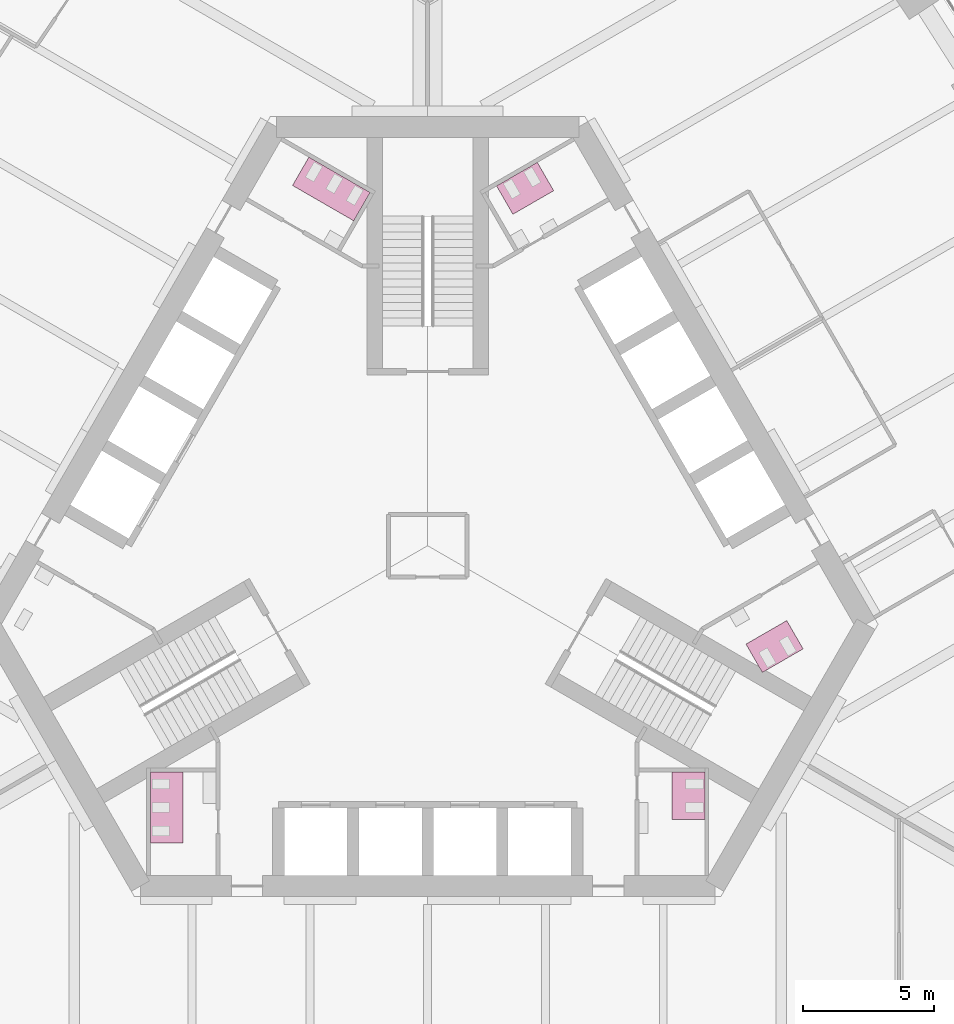
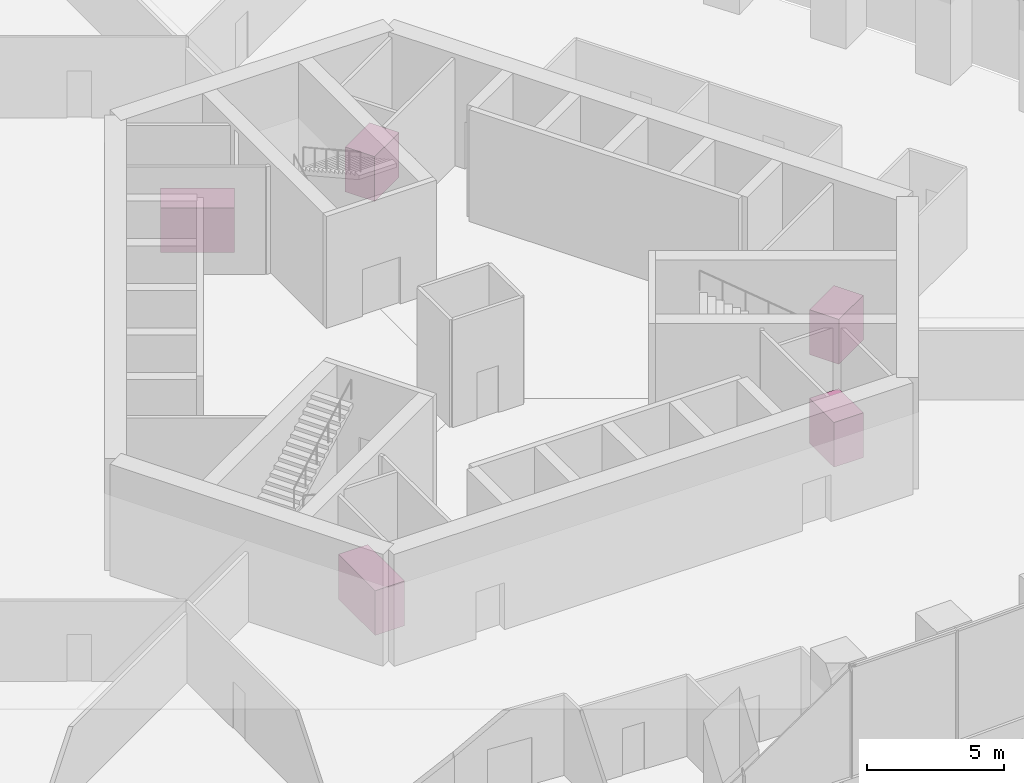
# One storey, part 21 of 21: 5 furniture elements.
"""IFC4 building model written with IfcOpenShell, lengths in metres."""

from ifc_helpers import new_model, si_unit, direction, frame, origin, place, context, subcontext, project, spatial, polyline, outline, extrude, material, type_object, element, save


model = new_model("IFC4")

# Units and contexts
model_context = context("Model", 3, precision=1e-05, world=origin(), true_north=direction((0.0, 1.0)))
body_context = subcontext(model_context, "Body", "Model", "MODEL_VIEW")
ifc_project = project(units=[si_unit("LENGTHUNIT", "METRE"), si_unit("AREAUNIT", "SQUARE_METRE"), si_unit("VOLUMEUNIT", "CUBIC_METRE"), si_unit("PLANEANGLEUNIT", "RADIAN"), si_unit("MASSUNIT", "GRAM", prefix="KILO")], contexts=[model_context])

# Site, building, storey
site_placement = place(None, origin())
site = spatial("IfcSite", under=ifc_project, at=site_placement, CompositionType="ELEMENT")
building_placement = place(site_placement, origin())
building = spatial("IfcBuilding", under=site, at=building_placement, Name="Trefoil Bronze Tower", CompositionType="ELEMENT")
storey_placement = place(building_placement, frame((0.0, 0.0, 11.5)))
storey = spatial("IfcBuildingStorey", under=building, at=storey_placement, Name="L02", CompositionType="ELEMENT", Elevation=11.5)

# Furniture
ifc_material_1 = material(Name="Compact laminate cubicles", Category="plastic")
furniture_type_1 = type_object("IfcFurnitureType", Name="WC cubicle range 2 cubicles", AssemblyPlace="FACTORY", PredefinedType="USERDEFINED", material=ifc_material_1)
furniture_1_placement = place(storey_placement, origin())
element("IfcFurniture", 1, at=furniture_1_placement, inside=storey, type_object=furniture_type_1, Name="WC cubicle range WC (men) L02", ObjectType="WC cubicle range", PredefinedType="USERDEFINED", context=body_context, shape_type="SweptSolid", body=[
    extrude(outline(polyline([(9.3349609375, -8.64990234375), (10.5849609375, -8.64990234375), (10.5849609375, -10.449951171875), (9.3349609375, -10.449951171875), (9.3349609375, -8.64990234375)])), origin(), (0.0, 0.0, 1.0), 2.0),
])
furniture_2_placement = place(storey_placement, origin())
element("IfcFurniture", 2, at=furniture_2_placement, inside=storey, type_object=furniture_type_1, Name="WC cubicle range WC (women) L02", ObjectType="WC cubicle range", PredefinedType="USERDEFINED", context=body_context, shape_type="SweptSolid", body=[
    extrude(outline(polyline([(12.15869140625, -3.75927734375), (12.78369140625, -4.841796875), (14.342529296875, -3.94189453125), (13.717529296875, -2.859375), (12.15869140625, -3.75927734375)])), origin(), (0.0, 0.0, 1.0), 2.0),
])
furniture_3_placement = place(storey_placement, origin())
element("IfcFurniture", 3, at=furniture_3_placement, inside=storey, type_object=furniture_type_1, Name="WC cubicle range WC (men) L02", ObjectType="WC cubicle range", PredefinedType="USERDEFINED", context=body_context, shape_type="SweptSolid", body=[
    extrude(outline(polyline([(3.256591796875, 12.659423828125), (2.631591796875, 13.741943359375), (4.1904296875, 14.641845703125), (4.8154296875, 13.559326171875), (3.256591796875, 12.659423828125)])), origin(), (0.0, 0.0, 1.0), 2.0),
])
ifc_material_2 = material(Name="Compact laminate cubicles", Category="plastic")
furniture_type_2 = type_object("IfcFurnitureType", Name="WC cubicle range 3 cubicles", AssemblyPlace="FACTORY", PredefinedType="USERDEFINED", material=ifc_material_2)
furniture_4_placement = place(storey_placement, origin())
element("IfcFurniture", 4, at=furniture_4_placement, inside=storey, type_object=furniture_type_2, Name="WC cubicle range WC (women) L02", ObjectType="WC cubicle range", PredefinedType="USERDEFINED", context=body_context, shape_type="SweptSolid", body=[
    extrude(outline(polyline([(-2.82373046875, 12.409423828125), (-2.19873046875, 13.491943359375), (-4.536865234375, 14.841796875), (-5.161865234375, 13.75927734375), (-2.82373046875, 12.409423828125)])), origin(), (0.0, 0.0, 1.0), 2.0),
])
furniture_5_placement = place(storey_placement, origin())
element("IfcFurniture", 5, at=furniture_5_placement, inside=storey, type_object=furniture_type_2, Name="WC cubicle range WC (women) L02", ObjectType="WC cubicle range", PredefinedType="USERDEFINED", context=body_context, shape_type="SweptSolid", body=[
    extrude(outline(polyline([(-9.3349609375, -8.64990234375), (-10.5849609375, -8.64990234375), (-10.5849609375, -11.35009765625), (-9.3349609375, -11.35009765625), (-9.3349609375, -8.64990234375)])), origin(), (0.0, 0.0, 1.0), 2.0),
])

save(model, "model.ifc")
